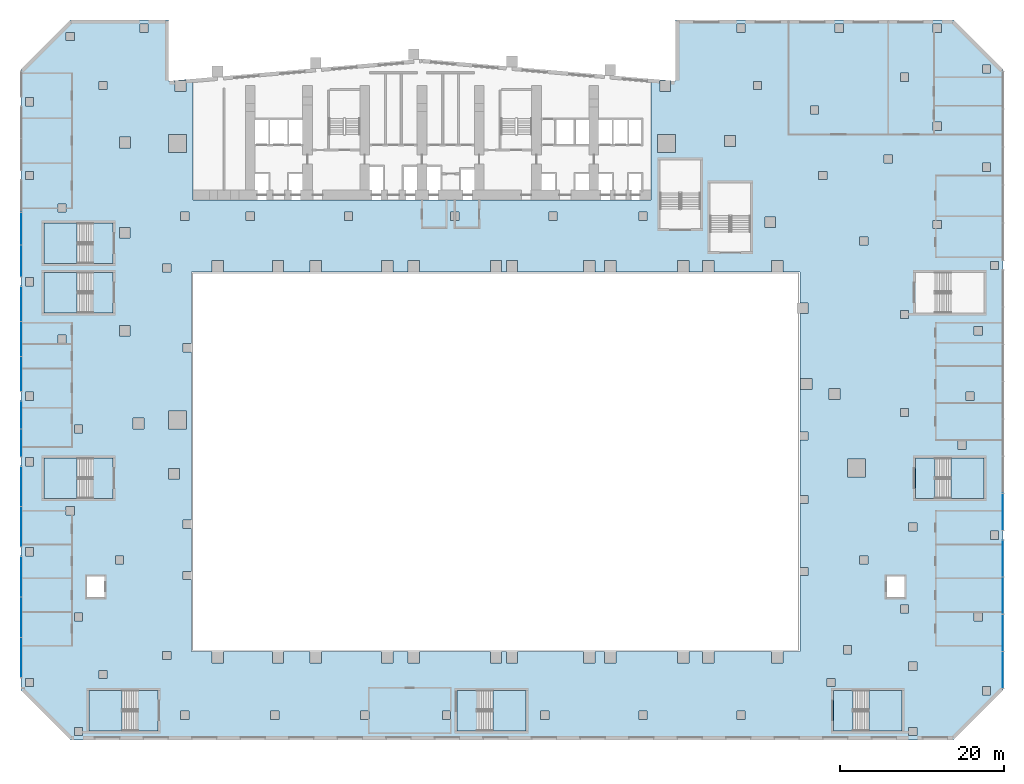
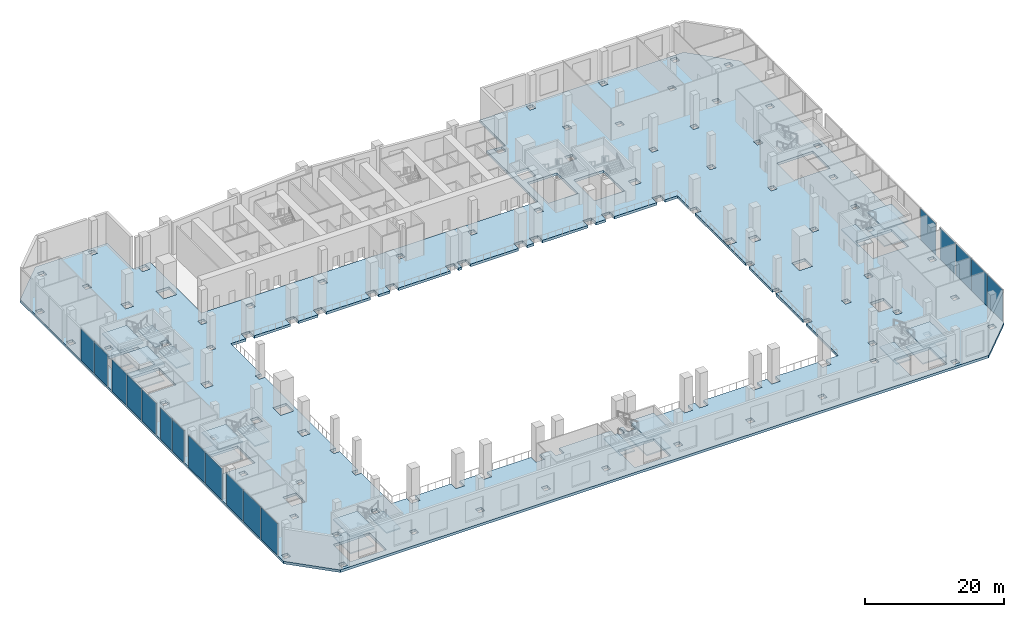
# One storey, part 8 of 30: 22 slabs, 17 plates, 14 elements without a shape of their own.
"""IFC4 building model written with IfcOpenShell, lengths in metres."""

from ifc_helpers import new_model, si_unit, direction, frame, origin, origin_2d, place, context, subcontext, project, spatial, polyline, rectangle, outline, extrude, material, layer, layer_set, type_object, element, aggregate, save


model = new_model("IFC4")

# Units and contexts
model_context = context("Model", 3, precision=1e-05, world=origin(), true_north=direction((0.0, 1.0)))
body_context = subcontext(model_context, "Body", "Model", "MODEL_VIEW")
ifc_project = project(units=[si_unit("LENGTHUNIT", "METRE"), si_unit("AREAUNIT", "SQUARE_METRE"), si_unit("VOLUMEUNIT", "CUBIC_METRE"), si_unit("PLANEANGLEUNIT", "RADIAN"), si_unit("MASSUNIT", "GRAM", prefix="KILO")], contexts=[model_context])

# Site, building, storey
site_placement = place(None, origin())
site = spatial("IfcSite", under=ifc_project, at=site_placement, CompositionType="ELEMENT")
building_placement = place(site_placement, origin())
building = spatial("IfcBuilding", under=site, at=building_placement, Name="Wharfspan Tower", CompositionType="ELEMENT")
storey_placement = place(building_placement, frame((0.0, 0.0, 21.5)))
storey = spatial("IfcBuildingStorey", under=building, at=storey_placement, Name="L03", CompositionType="ELEMENT", Elevation=21.5)

# Curtain wall, plates
ifc_material_1 = material(Name="Aluminium 6063-T6", Category="aluminium")
curtain_wall_type = type_object("IfcCurtainWallType", Name="CURTAIN WALL ARENA STICK WALL", PredefinedType="NOTDEFINED", material=ifc_material_1)
curtain_wall_1_placement = place(storey_placement, origin())
curtain_wall_1 = element("IfcCurtainWall", 1, at=curtain_wall_1_placement, inside=storey, type_object=curtain_wall_type, Name="Concourse stick wall PF3.1", PredefinedType="NOTDEFINED")
ifc_material_2 = material(Name="Glass clear laminated double glazing", Category="glass")
ifc_layer_1 = layer(ifc_material_2, 0.040039)
ifc_layer_set_1 = layer_set([ifc_layer_1], Name="Glass clear laminated double glazing")
plate_type = type_object("IfcPlateType", Name="GLASS PANEL ARENA STICK WALL 40", PredefinedType="CURTAIN_PANEL", material=ifc_layer_set_1)
plate_1_placement = place(storey_placement, frame((108.0, -23.45752, 0.0), z_axis=(0.0, 0.0, 1.0), x_axis=(0.0, 1.0, 0.0)))
plate_1 = element("IfcPlate", 2, at=plate_1_placement, type_object=plate_type, Name="Concourse stick wall PF3.1 panel 1", PredefinedType="CURTAIN_PANEL", context=body_context, shape_type="SweptSolid", body=[
    extrude(rectangle(XDim=4.445068, YDim=0.040039, at=origin_2d()), origin(), (0.0, 0.0, 1.0), 5.610107),
])
plate_2_placement = place(storey_placement, frame((108.0, -18.925049, 0.0), z_axis=(0.0, 0.0, 1.0), x_axis=(0.0, 1.0, 0.0)))
plate_2 = element("IfcPlate", 3, at=plate_2_placement, type_object=plate_type, Name="Concourse stick wall PF3.1 panel 2", PredefinedType="CURTAIN_PANEL", context=body_context, shape_type="SweptSolid", body=[
    extrude(rectangle(XDim=4.47998, YDim=0.040039, at=origin_2d()), origin(), (0.0, 0.0, 1.0), 5.610107),
])
plate_3_placement = place(storey_placement, frame((108.0, -14.375, 0.0), z_axis=(0.0, 0.0, 1.0), x_axis=(0.0, 1.0, 0.0)))
plate_3 = element("IfcPlate", 4, at=plate_3_placement, type_object=plate_type, Name="Concourse stick wall PF3.1 panel 3", PredefinedType="CURTAIN_PANEL", context=body_context, shape_type="SweptSolid", body=[
    extrude(rectangle(XDim=4.47998, YDim=0.040039, at=origin_2d()), origin(), (0.0, 0.0, 1.0), 5.610107),
])
plate_4_placement = place(storey_placement, frame((108.0, -9.842529, 0.0), z_axis=(0.0, 0.0, 1.0), x_axis=(0.0, 1.0, 0.0)))
plate_4 = element("IfcPlate", 5, at=plate_4_placement, type_object=plate_type, Name="Concourse stick wall PF3.1 panel 4", PredefinedType="CURTAIN_PANEL", context=body_context, shape_type="SweptSolid", body=[
    extrude(rectangle(XDim=4.445068, YDim=0.040039, at=origin_2d()), origin(), (0.0, 0.0, 1.0), 5.610107),
])
aggregate(curtain_wall_1, [plate_1, plate_2, plate_3, plate_4])

# Curtain wall, plate
curtain_wall_2_placement = place(storey_placement, origin())
curtain_wall_2 = element("IfcCurtainWall", 6, at=curtain_wall_2_placement, inside=storey, type_object=curtain_wall_type, Name="Concourse stick wall PF3.2", PredefinedType="NOTDEFINED")
plate_5_placement = place(storey_placement, frame((108.0, -4.153809, 0.0), z_axis=(0.0, 0.0, 1.0), x_axis=(0.0, 1.0, 0.0)))
plate_5 = element("IfcPlate", 7, at=plate_5_placement, type_object=plate_type, Name="Concourse stick wall PF3.2 panel 1", PredefinedType="CURTAIN_PANEL", context=body_context, shape_type="SweptSolid", body=[
    extrude(rectangle(XDim=4.452148, YDim=0.040039, at=origin_2d()), origin(), (0.0, 0.0, 1.0), 5.610107),
])
aggregate(curtain_wall_2, [plate_5])

# Curtain wall, plates
curtain_wall_3_placement = place(storey_placement, origin())
curtain_wall_3 = element("IfcCurtainWall", 8, at=curtain_wall_3_placement, inside=storey, type_object=curtain_wall_type, Name="Concourse stick wall PF12.3", PredefinedType="NOTDEFINED")
plate_6_placement = place(storey_placement, frame((-12.0, 30.5, 0.0), z_axis=(0.0, 0.0, 1.0), x_axis=(0.0, -1.0, 0.0)))
plate_6 = element("IfcPlate", 9, at=plate_6_placement, type_object=plate_type, Name="Concourse stick wall PF12.3 panel 2", PredefinedType="CURTAIN_PANEL", context=body_context, shape_type="SweptSolid", body=[
    extrude(rectangle(XDim=3.896729, YDim=0.040039, at=origin_2d()), origin(), (0.0, 0.0, 1.0), 5.610107),
])
plate_7_placement = place(storey_placement, frame((-12.0, 26.550781, 0.0), z_axis=(0.0, 0.0, 1.0), x_axis=(0.0, -1.0, 0.0)))
plate_7 = element("IfcPlate", 10, at=plate_7_placement, type_object=plate_type, Name="Concourse stick wall PF12.3 panel 3", PredefinedType="CURTAIN_PANEL", context=body_context, shape_type="SweptSolid", body=[
    extrude(rectangle(XDim=3.861572, YDim=0.040039, at=origin_2d()), origin(), (0.0, 0.0, 1.0), 5.610107),
])
aggregate(curtain_wall_3, [plate_6, plate_7])

curtain_wall_4_placement = place(storey_placement, origin())
curtain_wall_4 = element("IfcCurtainWall", 11, at=curtain_wall_4_placement, inside=storey, type_object=curtain_wall_type, Name="Concourse stick wall PF12.4", PredefinedType="NOTDEFINED")
plate_8_placement = place(storey_placement, frame((-12.0, 21.282471, 0.0), z_axis=(0.0, 0.0, 1.0), x_axis=(0.0, -1.0, 0.0)))
plate_8 = element("IfcPlate", 12, at=plate_8_placement, type_object=plate_type, Name="Concourse stick wall PF12.4 panel 1", PredefinedType="CURTAIN_PANEL", context=body_context, shape_type="SweptSolid", body=[
    extrude(rectangle(XDim=4.195068, YDim=0.040039, at=origin_2d()), origin(), (0.0, 0.0, 1.0), 5.610107),
])
plate_9_placement = place(storey_placement, frame((-12.0, 17.0, 0.0), z_axis=(0.0, 0.0, 1.0), x_axis=(0.0, -1.0, 0.0)))
plate_9 = element("IfcPlate", 13, at=plate_9_placement, type_object=plate_type, Name="Concourse stick wall PF12.4 panel 2", PredefinedType="CURTAIN_PANEL", context=body_context, shape_type="SweptSolid", body=[
    extrude(rectangle(XDim=4.22998, YDim=0.040039, at=origin_2d()), origin(), (0.0, 0.0, 1.0), 5.610107),
])
plate_10_placement = place(storey_placement, frame((-12.0, 12.717529, 0.0), z_axis=(0.0, 0.0, 1.0), x_axis=(0.0, -1.0, 0.0)))
plate_10 = element("IfcPlate", 14, at=plate_10_placement, type_object=plate_type, Name="Concourse stick wall PF12.4 panel 3", PredefinedType="CURTAIN_PANEL", context=body_context, shape_type="SweptSolid", body=[
    extrude(rectangle(XDim=4.195068, YDim=0.040039, at=origin_2d()), origin(), (0.0, 0.0, 1.0), 5.610107),
])
aggregate(curtain_wall_4, [plate_8, plate_9, plate_10])

curtain_wall_5_placement = place(storey_placement, origin())
curtain_wall_5 = element("IfcCurtainWall", 15, at=curtain_wall_5_placement, inside=storey, type_object=curtain_wall_type, Name="Concourse stick wall PF12.5", PredefinedType="NOTDEFINED")
plate_11_placement = place(storey_placement, frame((-12.0, 7.70752, 0.0), z_axis=(0.0, 0.0, 1.0), x_axis=(0.0, -1.0, 0.0)))
plate_11 = element("IfcPlate", 16, at=plate_11_placement, type_object=plate_type, Name="Concourse stick wall PF12.5 panel 1", PredefinedType="CURTAIN_PANEL", context=body_context, shape_type="SweptSolid", body=[
    extrude(rectangle(XDim=3.344971, YDim=0.040039, at=origin_2d()), origin(), (0.0, 0.0, 1.0), 5.610107),
])
plate_12_placement = place(storey_placement, frame((-12.0, 4.29248, 0.0), z_axis=(0.0, 0.0, 1.0), x_axis=(0.0, -1.0, 0.0)))
plate_12 = element("IfcPlate", 17, at=plate_12_placement, type_object=plate_type, Name="Concourse stick wall PF12.5 panel 2", PredefinedType="CURTAIN_PANEL", context=body_context, shape_type="SweptSolid", body=[
    extrude(rectangle(XDim=3.344971, YDim=0.040039, at=origin_2d()), origin(), (0.0, 0.0, 1.0), 5.610107),
])
aggregate(curtain_wall_5, [plate_11, plate_12])

curtain_wall_6_placement = place(storey_placement, origin())
curtain_wall_6 = element("IfcCurtainWall", 18, at=curtain_wall_6_placement, inside=storey, type_object=curtain_wall_type, Name="Concourse stick wall PF12.6", PredefinedType="NOTDEFINED")
plate_13_placement = place(storey_placement, frame((-12.0, -1.04248, 0.0), z_axis=(0.0, 0.0, 1.0), x_axis=(0.0, -1.0, 0.0)))
plate_13 = element("IfcPlate", 19, at=plate_13_placement, type_object=plate_type, Name="Concourse stick wall PF12.6 panel 1", PredefinedType="CURTAIN_PANEL", context=body_context, shape_type="SweptSolid", body=[
    extrude(rectangle(XDim=4.844971, YDim=0.040039, at=origin_2d()), origin(), (0.0, 0.0, 1.0), 5.610107),
])
plate_14_placement = place(storey_placement, frame((-12.0, -5.95752, 0.0), z_axis=(0.0, 0.0, 1.0), x_axis=(0.0, -1.0, 0.0)))
plate_14 = element("IfcPlate", 20, at=plate_14_placement, type_object=plate_type, Name="Concourse stick wall PF12.6 panel 2", PredefinedType="CURTAIN_PANEL", context=body_context, shape_type="SweptSolid", body=[
    extrude(rectangle(XDim=4.844971, YDim=0.040039, at=origin_2d()), origin(), (0.0, 0.0, 1.0), 5.610107),
])
aggregate(curtain_wall_6, [plate_13, plate_14])

curtain_wall_7_placement = place(storey_placement, origin())
curtain_wall_7 = element("IfcCurtainWall", 21, at=curtain_wall_7_placement, inside=storey, type_object=curtain_wall_type, Name="Concourse stick wall PF12.7", PredefinedType="NOTDEFINED")
plate_15_placement = place(storey_placement, frame((-12.0, -12.050781, 0.0), z_axis=(0.0, 0.0, 1.0), x_axis=(0.0, -1.0, 0.0)))
plate_15 = element("IfcPlate", 22, at=plate_15_placement, type_object=plate_type, Name="Concourse stick wall PF12.7 panel 1", PredefinedType="CURTAIN_PANEL", context=body_context, shape_type="SweptSolid", body=[
    extrude(rectangle(XDim=4.861572, YDim=0.040039, at=origin_2d()), origin(), (0.0, 0.0, 1.0), 5.610107),
])
plate_16_placement = place(storey_placement, frame((-12.0, -17.0, 0.0), z_axis=(0.0, 0.0, 1.0), x_axis=(0.0, -1.0, 0.0)))
plate_16 = element("IfcPlate", 23, at=plate_16_placement, type_object=plate_type, Name="Concourse stick wall PF12.7 panel 2", PredefinedType="CURTAIN_PANEL", context=body_context, shape_type="SweptSolid", body=[
    extrude(rectangle(XDim=4.896729, YDim=0.040039, at=origin_2d()), origin(), (0.0, 0.0, 1.0), 5.610107),
])
plate_17_placement = place(storey_placement, frame((-12.0, -21.949219, 0.0), z_axis=(0.0, 0.0, 1.0), x_axis=(0.0, -1.0, 0.0)))
plate_17 = element("IfcPlate", 24, at=plate_17_placement, type_object=plate_type, Name="Concourse stick wall PF12.7 panel 3", PredefinedType="CURTAIN_PANEL", context=body_context, shape_type="SweptSolid", body=[
    extrude(rectangle(XDim=4.861572, YDim=0.040039, at=origin_2d()), origin(), (0.0, 0.0, 1.0), 5.610107),
])
aggregate(curtain_wall_7, [plate_15, plate_16, plate_17])

# Slab
ifc_material_3 = material(Name="Concrete C35/45", Category="concrete")
ifc_layer_2 = layer(ifc_material_3, 0.449951)
ifc_layer_set_2 = layer_set([ifc_layer_2], Name="Concrete C35/45")
slab_type_1 = type_object("IfcSlabType", Name="Podium deck 450", PredefinedType="FLOOR", material=ifc_layer_set_2)
slab_1_placement = place(storey_placement, frame((0.0, 0.0, -0.450195)))
element("IfcSlab", 25, at=slab_1_placement, inside=storey, type_object=slab_type_1, Name="Deck L03", PredefinedType="FLOOR", context=body_context, shape_type="SweptSolid", body=[
    extrude(outline(polyline([(6.0, 56.0), (6.0, 48.524902), (12.0, 49.049805), (12.0, 49.049805), (9.0, 48.787354), (9.0, 34.0), (65.0, 34.0), (65.0, 48.787354), (60.0, 49.224854), (60.0, 49.224854), (68.0, 48.524902), (68.0, 56.0), (102.0, 56.0), (108.0, 50.0), (108.0, -26.0), (102.0, -32.0), (-6.0, -32.0), (-12.0, -26.0), (-12.0, 50.0), (-6.0, 56.0), (6.0, 56.0)]), holes=[polyline([(11.300049, -21.199951), (11.300049, -22.600098), (12.699951, -22.600098), (12.699951, -21.199951), (18.690918, -21.199951), (18.690918, -22.600098), (20.091064, -22.600098), (20.091064, -21.199951), (23.300049, -21.199951), (23.300049, -22.600098), (24.699951, -22.600098), (24.699951, -21.199951), (32.023926, -21.199951), (32.023926, -22.600098), (33.424072, -22.600098), (33.424072, -21.199951), (35.300049, -21.199951), (35.300049, -22.600098), (36.699951, -22.600098), (36.699951, -21.199951), (45.342041, -21.199951), (45.342041, -22.600098), (46.741943, -22.600098), (46.741943, -21.199951), (47.300049, -21.199951), (47.300049, -22.600098), (48.699951, -22.600098), (48.699951, -21.199951), (56.741943, -21.199951), (56.741943, -22.600098), (58.14209, -22.600098), (58.14209, -21.199951), (59.300049, -21.199951), (59.300049, -22.600098), (60.699951, -22.600098), (60.699951, -21.199951), (68.241943, -21.199951), (68.241943, -22.600098), (69.64209, -22.600098), (69.64209, -21.199951), (71.300049, -21.199951), (71.300049, -22.600098), (72.699951, -22.600098), (72.699951, -21.199951), (79.741943, -21.199951), (79.741943, -22.600098), (81.14209, -22.600098), (81.14209, -21.199951), (83.199951, -21.199951), (83.199951, -11.919922), (84.199951, -11.919922), (84.199951, -10.919922), (83.199951, -10.919922), (83.199951, -3.139893), (84.199951, -3.139893), (84.199951, -2.139893), (83.199951, -2.139893), (83.199951, 4.639893), (84.199951, 4.639893), (84.199951, 5.639893), (83.199951, 5.639893), (83.199951, 20.108398), (84.166992, 20.108398), (84.166992, 21.428223), (83.199951, 21.428223), (83.199951, 25.199951), (81.14209, 25.199951), (81.14209, 26.600098), (79.741943, 26.600098), (79.741943, 25.199951), (72.699951, 25.199951), (72.699951, 26.600098), (71.300049, 26.600098), (71.300049, 25.199951), (69.64209, 25.199951), (69.64209, 26.600098), (68.241943, 26.600098), (68.241943, 25.199951), (60.699951, 25.199951), (60.699951, 26.600098), (59.300049, 26.600098), (59.300049, 25.199951), (58.14209, 25.199951), (58.14209, 26.600098), (56.741943, 26.600098), (56.741943, 25.199951), (48.699951, 25.199951), (48.699951, 26.600098), (47.300049, 26.600098), (47.300049, 25.199951), (46.741943, 25.199951), (46.741943, 26.600098), (45.342041, 26.600098), (45.342041, 25.199951), (36.699951, 25.199951), (36.699951, 26.600098), (35.300049, 26.600098), (35.300049, 25.199951), (33.424072, 25.199951), (33.424072, 26.600098), (32.023926, 26.600098), (32.023926, 25.199951), (24.699951, 25.199951), (24.699951, 26.600098), (23.300049, 26.600098), (23.300049, 25.199951), (20.091064, 25.199951), (20.091064, 26.600098), (18.690918, 26.600098), (18.690918, 25.199951), (12.699951, 25.199951), (12.699951, 26.600098), (11.300049, 26.600098), (11.300049, 25.199951), (8.800049, 25.199951), (8.800049, 16.419922), (7.800049, 16.419922), (7.800049, 15.419922), (8.800049, 15.419922), (8.800049, -5.139893), (7.800049, -5.139893), (7.800049, -6.139893), (8.800049, -6.139893), (8.800049, -11.419922), (7.800049, -11.419922), (7.800049, -12.419922), (8.800049, -12.419922), (8.800049, -21.199951), (11.300049, -21.199951)]), polyline([(-3.699951, -25.949951), (-3.699951, -30.899902), (2.300049, -30.899902), (2.300049, -25.949951), (-3.699951, -25.949951)]), polyline([(49.699951, -25.949951), (43.699951, -25.949951), (43.699951, -30.899902), (49.699951, -30.899902), (49.699951, -25.949951)]), polyline([(-1.800049, -12.0), (-4.0, -12.0), (-4.0, -14.600098), (-1.800049, -14.600098), (-1.800049, -12.0)]), polyline([(-9.199951, 2.449951), (-9.199951, -2.5), (-3.199951, -2.5), (-3.199951, 2.449951), (-9.199951, 2.449951)]), polyline([(-3.199951, 25.149902), (-9.199951, 25.149902), (-9.199951, 20.199951), (-3.199951, 20.199951), (-3.199951, 25.149902)]), polyline([(-3.199951, 31.175049), (-9.199951, 31.175049), (-9.199951, 26.225098), (-3.199951, 26.225098), (-3.199951, 31.175049)]), polyline([(89.699951, -25.949951), (89.699951, -30.899902), (95.699951, -30.899902), (95.699951, -25.949951), (89.699951, -25.949951)]), polyline([(96.0, -12.0), (93.800049, -12.0), (93.800049, -14.600098), (96.0, -14.600098), (96.0, -12.0)]), polyline([(105.699951, 2.449951), (99.699951, 2.449951), (99.699951, -2.5), (105.699951, -2.5), (105.699951, 2.449951)]), polyline([(99.699951, 25.149902), (99.699951, 20.199951), (105.699951, 20.199951), (105.699951, 25.149902), (99.699951, 25.149902)]), polyline([(77.16748, 36.100098), (72.217529, 36.100098), (72.217529, 30.100098), (77.16748, 30.100098), (77.16748, 36.100098)]), polyline([(71.050049, 38.899902), (66.100098, 38.899902), (66.100098, 32.899902), (71.050049, 32.899902), (71.050049, 38.899902)]), polyline([(-5.5, -31.5), (-4.5, -31.5), (-4.5, -30.5), (-5.5, -30.5), (-5.5, -31.5)]), polyline([(-11.5, -24.5), (-11.5, -25.5), (-10.5, -25.5), (-10.5, -24.5), (-11.5, -24.5)]), polyline([(-2.5, -23.5), (-2.5, -24.5), (-1.5, -24.5), (-1.5, -23.5), (-2.5, -23.5)]), polyline([(5.300049, -21.199951), (5.300049, -22.199951), (6.300049, -22.199951), (6.300049, -21.199951), (5.300049, -21.199951)]), polyline([(-5.5, -16.5), (-5.5, -17.5), (-4.5, -17.5), (-4.5, -16.5), (-5.5, -16.5)]), polyline([(-0.5, -9.5), (-0.5, -10.5), (0.5, -10.5), (0.5, -9.5), (-0.5, -9.5)]), polyline([(-11.5, -8.5), (-11.5, -9.5), (-10.5, -9.5), (-10.5, -8.5), (-11.5, -8.5)]), polyline([(-6.5, -4.5), (-5.5, -4.5), (-5.5, -3.5), (-6.5, -3.5), (-6.5, -4.5)]), polyline([(6.034424, 1.188721), (6.034424, -0.131348), (7.354492, -0.131348), (7.354492, 1.188721), (6.034424, 1.188721)]), polyline([(-11.5, 2.5), (-11.5, 1.5), (-10.5, 1.5), (-10.5, 2.5), (-11.5, 2.5)]), polyline([(-5.5, 6.5), (-5.5, 5.5), (-4.5, 5.5), (-4.5, 6.5), (-5.5, 6.5)]), polyline([(1.671631, 7.327393), (1.671631, 6.007324), (2.991699, 6.007324), (2.991699, 7.327393), (1.671631, 7.327393)]), polyline([(6.0, 8.199951), (6.0, 6.0), (8.199951, 6.0), (8.199951, 8.199951), (6.0, 8.199951)]), polyline([(-11.5, 10.5), (-11.5, 9.5), (-10.5, 9.5), (-10.5, 10.5), (-11.5, 10.5)]), polyline([(-7.5, 16.5), (-6.5, 16.5), (-6.5, 17.5), (-7.5, 17.5), (-7.5, 16.5)]), polyline([(0.0, 18.659912), (0.0, 17.340088), (1.320068, 17.340088), (1.320068, 18.659912), (0.0, 18.659912)]), polyline([(-11.5, 24.5), (-11.5, 23.5), (-10.5, 23.5), (-10.5, 24.5), (-11.5, 24.5)]), polyline([(5.300049, 26.199951), (5.300049, 25.199951), (6.300049, 25.199951), (6.300049, 26.199951), (5.300049, 26.199951)]), polyline([(0.0, 30.659912), (0.0, 29.340088), (1.320068, 29.340088), (1.320068, 30.659912), (0.0, 30.659912)]), polyline([(7.5, 32.5), (7.5, 31.5), (8.5, 31.5), (8.5, 32.5), (7.5, 32.5)]), polyline([(-7.5, 33.5), (-7.5, 32.5), (-6.5, 32.5), (-6.5, 33.5), (-7.5, 33.5)]), polyline([(-11.5, 36.5), (-10.5, 36.5), (-10.5, 37.5), (-11.5, 37.5), (-11.5, 36.5)]), polyline([(6.0, 42.0), (6.0, 39.800049), (8.199951, 39.800049), (8.199951, 42.0), (6.0, 42.0)]), polyline([(0.024902, 41.694092), (0.024902, 40.374268), (1.344727, 40.374268), (1.344727, 41.694092), (0.024902, 41.694092)]), polyline([(-11.5, 46.5), (-11.5, 45.5), (-10.5, 45.5), (-10.5, 46.5), (-11.5, 46.5)]), polyline([(6.806396, 48.59375), (6.806396, 47.273682), (8.126465, 47.273682), (8.126465, 48.59375), (6.806396, 48.59375)]), polyline([(-2.5, 48.5), (-2.5, 47.5), (-1.5, 47.5), (-1.5, 48.5), (-2.5, 48.5)]), polyline([(-6.5, 54.5), (-6.5, 53.5), (-5.5, 53.5), (-5.5, 54.5), (-6.5, 54.5)]), polyline([(2.5, 54.5), (3.5, 54.5), (3.5, 55.5), (2.5, 55.5), (2.5, 54.5)]), polyline([(7.5, -28.5), (7.5, -29.5), (8.5, -29.5), (8.5, -28.5), (7.5, -28.5)]), polyline([(51.5, -28.5), (51.5, -29.5), (52.5, -29.5), (52.5, -28.5), (51.5, -28.5)]), polyline([(39.5, -28.5), (39.5, -29.5), (40.5, -29.5), (40.5, -28.5), (39.5, -28.5)]), polyline([(18.5, -28.5), (18.5, -29.5), (19.5, -29.5), (19.5, -28.5), (18.5, -28.5)]), polyline([(29.5, -28.5), (29.5, -29.5), (30.5, -29.5), (30.5, -28.5), (29.5, -28.5)]), polyline([(27.5, 32.5), (27.5, 31.5), (28.5, 31.5), (28.5, 32.5), (27.5, 32.5)]), polyline([(15.5, 32.5), (15.5, 31.5), (16.5, 31.5), (16.5, 32.5), (15.5, 32.5)]), polyline([(40.5, 32.5), (40.5, 31.5), (41.5, 31.5), (41.5, 32.5), (40.5, 32.5)]), polyline([(75.5, -28.5), (75.5, -29.5), (76.5, -29.5), (76.5, -28.5), (75.5, -28.5)]), polyline([(63.5, -28.5), (63.5, -29.5), (64.5, -29.5), (64.5, -28.5), (63.5, -28.5)]), polyline([(86.5, -24.5), (86.5, -25.5), (87.5, -25.5), (87.5, -24.5), (86.5, -24.5)]), polyline([(83.300049, 12.199951), (83.300049, 10.800049), (84.699951, 10.800049), (84.699951, 12.199951), (83.300049, 12.199951)]), polyline([(78.909424, 31.928223), (78.909424, 30.608398), (80.229492, 30.608398), (80.229492, 31.928223), (78.909424, 31.928223)]), polyline([(52.5, 31.5), (53.5, 31.5), (53.5, 32.5), (52.5, 32.5), (52.5, 31.5)]), polyline([(63.5, 32.5), (63.5, 31.5), (64.5, 31.5), (64.5, 32.5), (63.5, 32.5)]), polyline([(85.5, 37.5), (85.5, 36.5), (86.5, 36.5), (86.5, 37.5), (85.5, 37.5)]), polyline([(65.800049, 42.0), (65.800049, 39.800049), (68.0, 39.800049), (68.0, 42.0), (65.800049, 42.0)]), polyline([(73.974365, 41.856201), (73.974365, 40.536377), (75.294434, 40.536377), (75.294434, 41.856201), (73.974365, 41.856201)]), polyline([(84.5, 45.5), (84.5, 44.5), (85.5, 44.5), (85.5, 45.5), (84.5, 45.5)]), polyline([(66.087646, 48.575195), (66.087646, 47.255371), (67.407715, 47.255371), (67.407715, 48.575195), (66.087646, 48.575195)]), polyline([(77.5, 47.5), (78.5, 47.5), (78.5, 48.5), (77.5, 48.5), (77.5, 47.5)]), polyline([(75.5, 55.5), (75.5, 54.5), (76.5, 54.5), (76.5, 55.5), (75.5, 55.5)]), polyline([(96.5, -30.5), (96.5, -31.5), (97.5, -31.5), (97.5, -30.5), (96.5, -30.5)]), polyline([(105.5, -25.5), (105.5, -26.5), (106.5, -26.5), (106.5, -25.5), (105.5, -25.5)]), polyline([(96.5, -22.5), (96.5, -23.5), (97.5, -23.5), (97.5, -22.5), (96.5, -22.5)]), polyline([(88.5, -20.5), (88.5, -21.5), (89.5, -21.5), (89.5, -20.5), (88.5, -20.5)]), polyline([(104.5, -17.5), (105.5, -17.5), (105.5, -16.5), (104.5, -16.5), (104.5, -17.5)]), polyline([(95.5, -15.5), (95.5, -16.5), (96.5, -16.5), (96.5, -15.5), (95.5, -15.5)]), polyline([(90.5, -9.5), (90.5, -10.5), (91.5, -10.5), (91.5, -9.5), (90.5, -9.5)]), polyline([(106.5, -6.5), (106.5, -7.5), (107.5, -7.5), (107.5, -6.5), (106.5, -6.5)]), polyline([(96.5, -5.5), (96.5, -6.5), (97.5, -6.5), (97.5, -5.5), (96.5, -5.5)]), polyline([(88.996582, 2.299805), (88.996582, 0.099609), (91.196533, 0.099609), (91.196533, 2.299805), (88.996582, 2.299805)]), polyline([(102.5, 4.5), (102.5, 3.5), (103.5, 3.5), (103.5, 4.5), (102.5, 4.5)]), polyline([(95.5, 7.5), (96.5, 7.5), (96.5, 8.5), (95.5, 8.5), (95.5, 7.5)]), polyline([(103.5, 10.5), (103.5, 9.5), (104.5, 9.5), (104.5, 10.5), (103.5, 10.5)]), polyline([(86.784424, 10.928223), (86.784424, 9.608398), (88.104492, 9.608398), (88.104492, 10.928223), (86.784424, 10.928223)]), polyline([(104.5, 18.5), (104.5, 17.5), (105.5, 17.5), (105.5, 18.5), (104.5, 18.5)]), polyline([(95.5, 20.5), (95.5, 19.5), (96.5, 19.5), (96.5, 20.5), (95.5, 20.5)]), polyline([(106.5, 26.5), (106.5, 25.5), (107.5, 25.5), (107.5, 26.5), (106.5, 26.5)]), polyline([(90.5, 29.5), (90.5, 28.5), (91.5, 28.5), (91.5, 29.5), (90.5, 29.5)]), polyline([(99.5, 31.5), (99.5, 30.5), (100.5, 30.5), (100.5, 31.5), (99.5, 31.5)]), polyline([(105.5, 38.5), (105.5, 37.5), (106.5, 37.5), (106.5, 38.5), (105.5, 38.5)]), polyline([(93.5, 39.5), (93.5, 38.5), (94.5, 38.5), (94.5, 39.5), (93.5, 39.5)]), polyline([(99.5, 43.5), (99.5, 42.5), (100.5, 42.5), (100.5, 43.5), (99.5, 43.5)]), polyline([(95.5, 49.5), (95.5, 48.5), (96.5, 48.5), (96.5, 49.5), (95.5, 49.5)]), polyline([(105.5, 50.5), (105.5, 49.5), (106.5, 49.5), (106.5, 50.5), (105.5, 50.5)]), polyline([(99.5, 55.5), (99.5, 54.5), (100.5, 54.5), (100.5, 55.5), (99.5, 55.5)]), polyline([(87.5, 55.5), (87.5, 54.5), (88.5, 54.5), (88.5, 55.5), (87.5, 55.5)])]), origin(), (0.0, 0.0, 1.0), 0.450195),
])

# Stair, slabs
ifc_material_4 = material(Name="Concrete C40/50", Category="concrete")
stair_type = type_object("IfcStairType", Name="Half-turn stair 2400 wide 32 risers 188 mm", PredefinedType="HALF_TURN_STAIR", material=ifc_material_4)
stair_1_placement = place(storey_placement, origin())
stair_1 = element("IfcStair", 26, at=stair_1_placement, inside=storey, type_object=stair_type, Name="L03 stair AS1", PredefinedType="HALF_TURN_STAIR")
ifc_layer_3 = layer(ifc_material_4, 0.199951)
ifc_layer_set_3 = layer_set([ifc_layer_3], Name="Concrete C40/50")
slab_type_2 = type_object("IfcSlabType", Name="Podium stair landing 200", PredefinedType="LANDING", material=ifc_layer_set_3)
slab_2_placement = place(storey_placement, frame((0.0, 0.0, 1.299805)))
slab_2 = element("IfcSlab", 27, at=slab_2_placement, type_object=slab_type_2, Name="AS1 landing 1", PredefinedType="LANDING", context=body_context, shape_type="SweptSolid", body=[
    extrude(outline(polyline([(0.340088, -25.949951), (-3.699951, -25.949951), (-3.699951, -30.899902), (0.340088, -30.899902), (0.340088, -25.949951)])), origin(), (0.0, 0.0, 1.0), 0.200195),
])
slab_3_placement = place(storey_placement, frame((0.0, 0.0, 2.799805)))
slab_3 = element("IfcSlab", 28, at=slab_3_placement, type_object=slab_type_2, Name="AS1 landing 2", PredefinedType="LANDING", context=body_context, shape_type="SweptSolid", body=[
    extrude(outline(polyline([(4.699951, -25.949951), (2.300049, -25.949951), (2.300049, -30.899902), (4.699951, -30.899902), (4.699951, -25.949951)])), origin(), (0.0, 0.0, 1.0), 0.200195),
])
slab_4_placement = place(storey_placement, frame((0.0, 0.0, 4.299805)))
slab_4 = element("IfcSlab", 29, at=slab_4_placement, type_object=slab_type_2, Name="AS1 landing 3", PredefinedType="LANDING", context=body_context, shape_type="SweptSolid", body=[
    extrude(outline(polyline([(0.340088, -25.949951), (-3.699951, -25.949951), (-3.699951, -30.899902), (0.340088, -30.899902), (0.340088, -25.949951)])), origin(), (0.0, 0.0, 1.0), 0.200195),
])
aggregate(stair_1, [slab_2, slab_3, slab_4])

stair_2_placement = place(storey_placement, origin())
stair_2 = element("IfcStair", 30, at=stair_2_placement, inside=storey, type_object=stair_type, Name="L03 stair AS5", PredefinedType="HALF_TURN_STAIR")
slab_5_placement = place(storey_placement, frame((0.0, 0.0, 1.299805)))
slab_5 = element("IfcSlab", 31, at=slab_5_placement, type_object=slab_type_2, Name="AS5 landing 1", PredefinedType="LANDING", context=body_context, shape_type="SweptSolid", body=[
    extrude(outline(polyline([(45.659912, -30.899902), (49.699951, -30.899902), (49.699951, -25.949951), (45.659912, -25.949951), (45.659912, -30.899902)])), origin(), (0.0, 0.0, 1.0), 0.200195),
])
slab_6_placement = place(storey_placement, frame((0.0, 0.0, 2.799805)))
slab_6 = element("IfcSlab", 32, at=slab_6_placement, type_object=slab_type_2, Name="AS5 landing 2", PredefinedType="LANDING", context=body_context, shape_type="SweptSolid", body=[
    extrude(outline(polyline([(41.300049, -30.899902), (43.699951, -30.899902), (43.699951, -25.949951), (41.300049, -25.949951), (41.300049, -30.899902)])), origin(), (0.0, 0.0, 1.0), 0.200195),
])
slab_7_placement = place(storey_placement, frame((0.0, 0.0, 4.299805)))
slab_7 = element("IfcSlab", 33, at=slab_7_placement, type_object=slab_type_2, Name="AS5 landing 3", PredefinedType="LANDING", context=body_context, shape_type="SweptSolid", body=[
    extrude(outline(polyline([(45.659912, -30.899902), (49.699951, -30.899902), (49.699951, -25.949951), (45.659912, -25.949951), (45.659912, -30.899902)])), origin(), (0.0, 0.0, 1.0), 0.200195),
])
aggregate(stair_2, [slab_5, slab_6, slab_7])

stair_3_placement = place(storey_placement, origin())
stair_3 = element("IfcStair", 34, at=stair_3_placement, inside=storey, type_object=stair_type, Name="L03 stair AS2", PredefinedType="HALF_TURN_STAIR")
slab_8_placement = place(storey_placement, frame((0.0, 0.0, 1.299805)))
slab_8 = element("IfcSlab", 35, at=slab_8_placement, type_object=slab_type_2, Name="AS2 landing 1", PredefinedType="LANDING", context=body_context, shape_type="SweptSolid", body=[
    extrude(outline(polyline([(91.659912, -30.899902), (95.699951, -30.899902), (95.699951, -25.949951), (91.659912, -25.949951), (91.659912, -30.899902)])), origin(), (0.0, 0.0, 1.0), 0.200195),
])
slab_9_placement = place(storey_placement, frame((0.0, 0.0, 2.799805)))
slab_9 = element("IfcSlab", 36, at=slab_9_placement, type_object=slab_type_2, Name="AS2 landing 2", PredefinedType="LANDING", context=body_context, shape_type="SweptSolid", body=[
    extrude(outline(polyline([(87.300049, -30.899902), (89.699951, -30.899902), (89.699951, -25.949951), (87.300049, -25.949951), (87.300049, -30.899902)])), origin(), (0.0, 0.0, 1.0), 0.200195),
])
slab_10_placement = place(storey_placement, frame((0.0, 0.0, 4.299805)))
slab_10 = element("IfcSlab", 37, at=slab_10_placement, type_object=slab_type_2, Name="AS2 landing 3", PredefinedType="LANDING", context=body_context, shape_type="SweptSolid", body=[
    extrude(outline(polyline([(91.659912, -30.899902), (95.699951, -30.899902), (95.699951, -25.949951), (91.659912, -25.949951), (91.659912, -30.899902)])), origin(), (0.0, 0.0, 1.0), 0.200195),
])
aggregate(stair_3, [slab_8, slab_9, slab_10])

stair_4_placement = place(storey_placement, origin())
stair_4 = element("IfcStair", 38, at=stair_4_placement, inside=storey, type_object=stair_type, Name="L03 stair AS7", PredefinedType="HALF_TURN_STAIR")
slab_11_placement = place(storey_placement, frame((0.0, 0.0, 1.299805)))
slab_11 = element("IfcSlab", 39, at=slab_11_placement, type_object=slab_type_2, Name="AS7 landing 1", PredefinedType="LANDING", context=body_context, shape_type="SweptSolid", body=[
    extrude(outline(polyline([(-5.159912, 2.449951), (-9.199951, 2.449951), (-9.199951, -2.5), (-5.159912, -2.5), (-5.159912, 2.449951)])), origin(), (0.0, 0.0, 1.0), 0.200195),
])
slab_12_placement = place(storey_placement, frame((0.0, 0.0, 2.799805)))
slab_12 = element("IfcSlab", 40, at=slab_12_placement, type_object=slab_type_2, Name="AS7 landing 2", PredefinedType="LANDING", context=body_context, shape_type="SweptSolid", body=[
    extrude(outline(polyline([(-0.800049, 2.449951), (-3.199951, 2.449951), (-3.199951, -2.5), (-0.800049, -2.5), (-0.800049, 2.449951)])), origin(), (0.0, 0.0, 1.0), 0.200195),
])
slab_13_placement = place(storey_placement, frame((0.0, 0.0, 4.299805)))
slab_13 = element("IfcSlab", 41, at=slab_13_placement, type_object=slab_type_2, Name="AS7 landing 3", PredefinedType="LANDING", context=body_context, shape_type="SweptSolid", body=[
    extrude(outline(polyline([(-5.159912, 2.449951), (-9.199951, 2.449951), (-9.199951, -2.5), (-5.159912, -2.5), (-5.159912, 2.449951)])), origin(), (0.0, 0.0, 1.0), 0.200195),
])
aggregate(stair_4, [slab_11, slab_12, slab_13])

stair_5_placement = place(storey_placement, origin())
stair_5 = element("IfcStair", 42, at=stair_5_placement, inside=storey, type_object=stair_type, Name="L03 stair AS8", PredefinedType="HALF_TURN_STAIR")
slab_14_placement = place(storey_placement, frame((0.0, 0.0, 1.299805)))
slab_14 = element("IfcSlab", 43, at=slab_14_placement, type_object=slab_type_2, Name="AS8 landing 1", PredefinedType="LANDING", context=body_context, shape_type="SweptSolid", body=[
    extrude(outline(polyline([(101.659912, -2.5), (105.699951, -2.5), (105.699951, 2.449951), (101.659912, 2.449951), (101.659912, -2.5)])), origin(), (0.0, 0.0, 1.0), 0.200195),
])
slab_15_placement = place(storey_placement, frame((0.0, 0.0, 2.799805)))
slab_15 = element("IfcSlab", 44, at=slab_15_placement, type_object=slab_type_2, Name="AS8 landing 2", PredefinedType="LANDING", context=body_context, shape_type="SweptSolid", body=[
    extrude(outline(polyline([(97.300049, -2.5), (99.699951, -2.5), (99.699951, 2.449951), (97.300049, 2.449951), (97.300049, -2.5)])), origin(), (0.0, 0.0, 1.0), 0.200195),
])
slab_16_placement = place(storey_placement, frame((0.0, 0.0, 4.299805)))
slab_16 = element("IfcSlab", 45, at=slab_16_placement, type_object=slab_type_2, Name="AS8 landing 3", PredefinedType="LANDING", context=body_context, shape_type="SweptSolid", body=[
    extrude(outline(polyline([(101.659912, -2.5), (105.699951, -2.5), (105.699951, 2.449951), (101.659912, 2.449951), (101.659912, -2.5)])), origin(), (0.0, 0.0, 1.0), 0.200195),
])
aggregate(stair_5, [slab_14, slab_15, slab_16])

stair_6_placement = place(storey_placement, origin())
stair_6 = element("IfcStair", 46, at=stair_6_placement, inside=storey, type_object=stair_type, Name="L03 stair AS3", PredefinedType="HALF_TURN_STAIR")
slab_17_placement = place(storey_placement, frame((0.0, 0.0, 1.299805)))
slab_17 = element("IfcSlab", 47, at=slab_17_placement, type_object=slab_type_2, Name="AS3 landing 1", PredefinedType="LANDING", context=body_context, shape_type="SweptSolid", body=[
    extrude(outline(polyline([(-5.159912, 25.149902), (-9.199951, 25.149902), (-9.199951, 20.199951), (-5.159912, 20.199951), (-5.159912, 25.149902)])), origin(), (0.0, 0.0, 1.0), 0.200195),
])
slab_18_placement = place(storey_placement, frame((0.0, 0.0, 2.799805)))
slab_18 = element("IfcSlab", 48, at=slab_18_placement, type_object=slab_type_2, Name="AS3 landing 2", PredefinedType="LANDING", context=body_context, shape_type="SweptSolid", body=[
    extrude(outline(polyline([(-0.800049, 25.149902), (-3.199951, 25.149902), (-3.199951, 20.199951), (-0.800049, 20.199951), (-0.800049, 25.149902)])), origin(), (0.0, 0.0, 1.0), 0.200195),
])
slab_19_placement = place(storey_placement, frame((0.0, 0.0, 4.299805)))
slab_19 = element("IfcSlab", 49, at=slab_19_placement, type_object=slab_type_2, Name="AS3 landing 3", PredefinedType="LANDING", context=body_context, shape_type="SweptSolid", body=[
    extrude(outline(polyline([(-5.159912, 25.149902), (-9.199951, 25.149902), (-9.199951, 20.199951), (-5.159912, 20.199951), (-5.159912, 25.149902)])), origin(), (0.0, 0.0, 1.0), 0.200195),
])
aggregate(stair_6, [slab_17, slab_18, slab_19])

stair_7_placement = place(storey_placement, origin())
stair_7 = element("IfcStair", 50, at=stair_7_placement, inside=storey, type_object=stair_type, Name="L03 stair PS3", PredefinedType="HALF_TURN_STAIR")
slab_20_placement = place(storey_placement, frame((0.0, 0.0, 1.299805)))
slab_20 = element("IfcSlab", 51, at=slab_20_placement, type_object=slab_type_2, Name="PS3 landing 1", PredefinedType="LANDING", context=body_context, shape_type="SweptSolid", body=[
    extrude(outline(polyline([(-5.159912, 31.175049), (-9.199951, 31.175049), (-9.199951, 26.225098), (-5.159912, 26.225098), (-5.159912, 31.175049)])), origin(), (0.0, 0.0, 1.0), 0.200195),
])
slab_21_placement = place(storey_placement, frame((0.0, 0.0, 2.799805)))
slab_21 = element("IfcSlab", 52, at=slab_21_placement, type_object=slab_type_2, Name="PS3 landing 2", PredefinedType="LANDING", context=body_context, shape_type="SweptSolid", body=[
    extrude(outline(polyline([(-0.800049, 31.175049), (-3.199951, 31.175049), (-3.199951, 26.225098), (-0.800049, 26.225098), (-0.800049, 31.175049)])), origin(), (0.0, 0.0, 1.0), 0.200195),
])
slab_22_placement = place(storey_placement, frame((0.0, 0.0, 4.299805)))
slab_22 = element("IfcSlab", 53, at=slab_22_placement, type_object=slab_type_2, Name="PS3 landing 3", PredefinedType="LANDING", context=body_context, shape_type="SweptSolid", body=[
    extrude(outline(polyline([(-5.159912, 31.175049), (-9.199951, 31.175049), (-9.199951, 26.225098), (-5.159912, 26.225098), (-5.159912, 31.175049)])), origin(), (0.0, 0.0, 1.0), 0.200195),
])
aggregate(stair_7, [slab_20, slab_21, slab_22])

save(model, "model.ifc")
